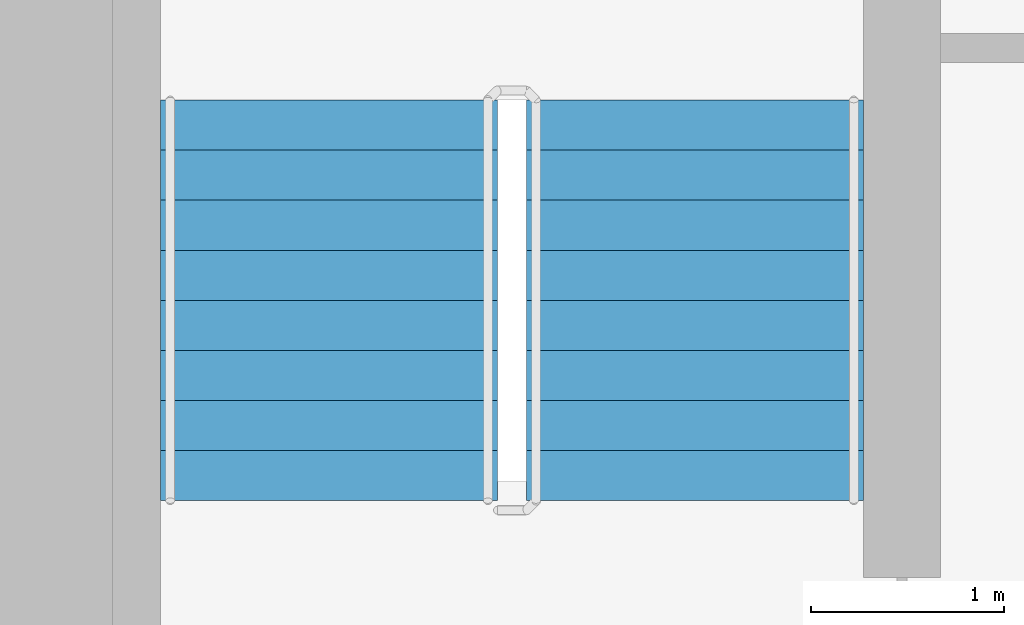
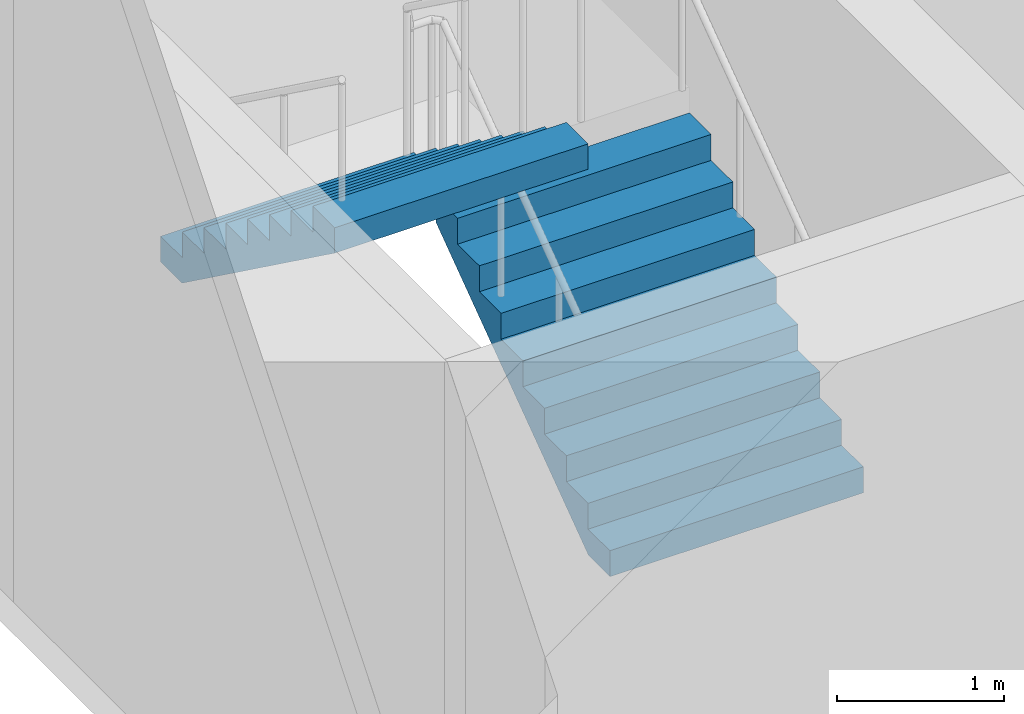
# One storey, part 18 of 21: 2 stair flights, 1 element without a shape of its own.
"""IFC4 building model written with IfcOpenShell, lengths in metres."""

from ifc_helpers import new_model, si_unit, direction, frame, origin, place, context, subcontext, project, spatial, faceted_brep, material, type_object, element, aggregate, save


model = new_model("IFC4")

# Units and contexts
model_context = context("Model", 3, precision=1e-05, world=origin(), true_north=direction((0.0, 1.0)))
body_context = subcontext(model_context, "Body", "Model", "MODEL_VIEW")
ifc_project = project(units=[si_unit("LENGTHUNIT", "METRE"), si_unit("AREAUNIT", "SQUARE_METRE"), si_unit("VOLUMEUNIT", "CUBIC_METRE"), si_unit("PLANEANGLEUNIT", "RADIAN"), si_unit("MASSUNIT", "GRAM", prefix="KILO")], contexts=[model_context])

# Site, building, storey
site_placement = place(None, origin())
site = spatial("IfcSite", under=ifc_project, at=site_placement, CompositionType="ELEMENT")
building_placement = place(site_placement, origin())
building = spatial("IfcBuilding", under=site, at=building_placement, Name="Ipe Terrace Towers", CompositionType="ELEMENT")
storey_placement = place(building_placement, frame((0.0, 0.0, 114.0)))
storey = spatial("IfcBuildingStorey", under=building, at=storey_placement, Name="L31", CompositionType="ELEMENT", Elevation=114.0)

# Stair, stair flights
ifc_material_1 = material(Name="Concrete C30/37", Category="concrete")
stair_type = type_object("IfcStairType", Name="Protected exit stair", PredefinedType="HALF_TURN_STAIR", material=ifc_material_1)
stair_placement = place(storey_placement, origin())
stair = element("IfcStair", 1, at=stair_placement, inside=storey, type_object=stair_type, Name="L31 Exit stair T2-C1", PredefinedType="HALF_TURN_STAIR")
ifc_material_2 = material(Name="Concrete C30/37", Category="concrete")
stair_flight_type = type_object("IfcStairFlightType", Name="Exit stair flight 1750", PredefinedType="STRAIGHT", material=ifc_material_2)
stair_flight_1_placement = place(storey_placement, frame((33.22509765625, 9.699951171875, 0.0), z_axis=(0.0, 0.0, 1.0), x_axis=(0.0, 1.0, 0.0)))
stair_flight_1 = element("IfcStairFlight", 2, at=stair_flight_1_placement, type_object=stair_flight_type, Name="T2-ST1 flight 1", NumberOfRisers=9, NumberOfTreads=8, PredefinedType="STRAIGHT", RiserHeight=0.188888889, TreadLength=0.26, context=body_context, shape_type="Brep", body=[
    faceted_brep([(0.255126953125, -0.875, 0.0), (2.080078125, -0.875, 1.325927734375), (2.080078125, -0.875, 1.51123046875), (1.820068359375, -0.875, 1.51123046875), (1.820068359375, -0.875, 1.322265625), (1.56005859375, -0.875, 1.322265625), (1.56005859375, -0.875, 1.13330078125), (1.300048828125, -0.875, 1.13330078125), (1.300048828125, -0.875, 0.9443359375), (1.0400390625, -0.875, 0.9443359375), (1.0400390625, -0.875, 0.755615234375), (0.780029296875, -0.875, 0.755615234375), (0.780029296875, -0.875, 0.566650390625), (0.52001953125, -0.875, 0.566650390625), (0.52001953125, -0.875, 0.377685546875), (0.260009765625, -0.875, 0.377685546875), (0.260009765625, -0.875, 0.18896484375), (0.0, -0.875, 0.18896484375), (0.0, -0.875, 0.0), (0.0, 0.875, 0.0), (0.0, 0.875, 0.18896484375), (0.260009765625, 0.875, 0.18896484375), (0.260009765625, 0.875, 0.377685546875), (0.52001953125, 0.875, 0.377685546875), (0.52001953125, 0.875, 0.566650390625), (0.780029296875, 0.875, 0.566650390625), (0.780029296875, 0.875, 0.755615234375), (1.0400390625, 0.875, 0.755615234375), (1.0400390625, 0.875, 0.9443359375), (1.300048828125, 0.875, 0.9443359375), (1.300048828125, 0.875, 1.13330078125), (1.56005859375, 0.875, 1.13330078125), (1.56005859375, 0.875, 1.322265625), (1.820068359375, 0.875, 1.322265625), (1.820068359375, 0.875, 1.51123046875), (2.080078125, 0.875, 1.51123046875), (2.080078125, 0.875, 1.325927734375), (0.255126953125, 0.875, 0.0), (0.0, -0.300048828125, 0.18896484375), (0.0, -0.1201171875, 0.18896484375), (0.0, -0.06005859375, 0.18896484375), (0.0, -0.030029296875, 0.18896484375), (0.0, -0.010009765625, 0.18896484375), (0.0, 0.0, 0.18896484375), (0.0, 0.010009765625, 0.18896484375), (0.0, 0.030029296875, 0.18896484375), (0.0, 0.06005859375, 0.18896484375), (0.0, 0.1201171875, 0.18896484375), (0.0, 0.300048828125, 0.18896484375), (0.0, 0.300048828125, 0.0), (0.0, 0.1201171875, 0.0), (0.0, 0.06005859375, 0.0), (0.0, 0.030029296875, 0.0), (0.0, 0.010009765625, 0.0), (0.0, 0.0, 0.0), (0.0, -0.010009765625, 0.0), (0.0, -0.030029296875, 0.0), (0.0, -0.06005859375, 0.0), (0.0, -0.1201171875, 0.0), (0.0, -0.300048828125, 0.0), (0.260009765625, -0.300048828125, 0.18896484375), (0.260009765625, -0.1201171875, 0.18896484375), (0.260009765625, -0.06005859375, 0.18896484375), (0.260009765625, -0.030029296875, 0.18896484375), (0.260009765625, -0.010009765625, 0.18896484375), (0.260009765625, 0.0, 0.18896484375), (0.260009765625, 0.010009765625, 0.18896484375), (0.260009765625, 0.030029296875, 0.18896484375), (0.260009765625, 0.06005859375, 0.18896484375), (0.260009765625, 0.1201171875, 0.18896484375), (0.260009765625, 0.300048828125, 0.18896484375), (0.260009765625, -0.300048828125, 0.377685546875), (0.260009765625, -0.1201171875, 0.377685546875), (0.260009765625, -0.06005859375, 0.377685546875), (0.260009765625, -0.030029296875, 0.377685546875), (0.260009765625, -0.010009765625, 0.377685546875), (0.260009765625, 0.0, 0.377685546875), (0.260009765625, 0.010009765625, 0.377685546875), (0.260009765625, 0.030029296875, 0.377685546875), (0.260009765625, 0.06005859375, 0.377685546875), (0.260009765625, 0.1201171875, 0.377685546875), (0.260009765625, 0.300048828125, 0.377685546875), (0.52001953125, -0.300048828125, 0.377685546875), (0.52001953125, -0.1201171875, 0.377685546875), (0.52001953125, -0.06005859375, 0.377685546875), (0.52001953125, -0.030029296875, 0.377685546875), (0.52001953125, -0.010009765625, 0.377685546875), (0.52001953125, 0.0, 0.377685546875), (0.52001953125, 0.010009765625, 0.377685546875), (0.52001953125, 0.030029296875, 0.377685546875), (0.52001953125, 0.06005859375, 0.377685546875), (0.52001953125, 0.1201171875, 0.377685546875), (0.52001953125, 0.300048828125, 0.377685546875), (0.52001953125, -0.300048828125, 0.566650390625), (0.52001953125, -0.1201171875, 0.566650390625), (0.52001953125, -0.06005859375, 0.566650390625), (0.52001953125, -0.030029296875, 0.566650390625), (0.52001953125, -0.010009765625, 0.566650390625), (0.52001953125, 0.0, 0.566650390625), (0.52001953125, 0.010009765625, 0.566650390625), (0.52001953125, 0.030029296875, 0.566650390625), (0.52001953125, 0.06005859375, 0.566650390625), (0.52001953125, 0.1201171875, 0.566650390625), (0.52001953125, 0.300048828125, 0.566650390625), (0.780029296875, -0.300048828125, 0.566650390625), (0.780029296875, -0.1201171875, 0.566650390625), (0.780029296875, -0.06005859375, 0.566650390625), (0.780029296875, -0.030029296875, 0.566650390625), (0.780029296875, -0.010009765625, 0.566650390625), (0.780029296875, 0.0, 0.566650390625), (0.780029296875, 0.010009765625, 0.566650390625), (0.780029296875, 0.030029296875, 0.566650390625), (0.780029296875, 0.06005859375, 0.566650390625), (0.780029296875, 0.1201171875, 0.566650390625), (0.780029296875, 0.300048828125, 0.566650390625), (0.780029296875, -0.300048828125, 0.755615234375), (0.780029296875, -0.1201171875, 0.755615234375), (0.780029296875, -0.06005859375, 0.755615234375), (0.780029296875, -0.030029296875, 0.755615234375), (0.780029296875, -0.010009765625, 0.755615234375), (0.780029296875, 0.0, 0.755615234375), (0.780029296875, 0.010009765625, 0.755615234375), (0.780029296875, 0.030029296875, 0.755615234375), (0.780029296875, 0.06005859375, 0.755615234375), (0.780029296875, 0.1201171875, 0.755615234375), (0.780029296875, 0.300048828125, 0.755615234375), (1.0400390625, -0.300048828125, 0.755615234375), (1.0400390625, -0.1201171875, 0.755615234375), (1.0400390625, -0.06005859375, 0.755615234375), (1.0400390625, -0.030029296875, 0.755615234375), (1.0400390625, -0.010009765625, 0.755615234375), (1.0400390625, 0.0, 0.755615234375), (1.0400390625, 0.010009765625, 0.755615234375), (1.0400390625, 0.030029296875, 0.755615234375), (1.0400390625, 0.06005859375, 0.755615234375), (1.0400390625, 0.1201171875, 0.755615234375), (1.0400390625, 0.300048828125, 0.755615234375), (1.0400390625, -0.300048828125, 0.9443359375), (1.0400390625, -0.1201171875, 0.9443359375), (1.0400390625, -0.06005859375, 0.9443359375), (1.0400390625, -0.030029296875, 0.9443359375), (1.0400390625, -0.010009765625, 0.9443359375), (1.0400390625, 0.0, 0.9443359375), (1.0400390625, 0.010009765625, 0.9443359375), (1.0400390625, 0.030029296875, 0.9443359375), (1.0400390625, 0.06005859375, 0.9443359375), (1.0400390625, 0.1201171875, 0.9443359375), (1.0400390625, 0.300048828125, 0.9443359375), (1.300048828125, -0.300048828125, 0.9443359375), (1.300048828125, -0.1201171875, 0.9443359375), (1.300048828125, -0.06005859375, 0.9443359375), (1.300048828125, -0.030029296875, 0.9443359375), (1.300048828125, -0.010009765625, 0.9443359375), (1.300048828125, 0.0, 0.9443359375), (1.300048828125, 0.010009765625, 0.9443359375), (1.300048828125, 0.030029296875, 0.9443359375), (1.300048828125, 0.06005859375, 0.9443359375), (1.300048828125, 0.1201171875, 0.9443359375), (1.300048828125, 0.300048828125, 0.9443359375), (1.300048828125, -0.300048828125, 1.13330078125), (1.300048828125, -0.1201171875, 1.13330078125), (1.300048828125, -0.06005859375, 1.13330078125), (1.300048828125, -0.030029296875, 1.13330078125), (1.300048828125, -0.010009765625, 1.13330078125), (1.300048828125, 0.0, 1.13330078125), (1.300048828125, 0.010009765625, 1.13330078125), (1.300048828125, 0.030029296875, 1.13330078125), (1.300048828125, 0.06005859375, 1.13330078125), (1.300048828125, 0.1201171875, 1.13330078125), (1.300048828125, 0.300048828125, 1.13330078125), (1.56005859375, -0.300048828125, 1.13330078125), (1.56005859375, -0.1201171875, 1.13330078125), (1.56005859375, -0.06005859375, 1.13330078125), (1.56005859375, -0.030029296875, 1.13330078125), (1.56005859375, -0.010009765625, 1.13330078125), (1.56005859375, 0.0, 1.13330078125), (1.56005859375, 0.010009765625, 1.13330078125), (1.56005859375, 0.030029296875, 1.13330078125), (1.56005859375, 0.06005859375, 1.13330078125), (1.56005859375, 0.1201171875, 1.13330078125), (1.56005859375, 0.300048828125, 1.13330078125), (1.56005859375, -0.300048828125, 1.322265625), (1.56005859375, -0.1201171875, 1.322265625), (1.56005859375, -0.06005859375, 1.322265625), (1.56005859375, -0.030029296875, 1.322265625), (1.56005859375, -0.010009765625, 1.322265625), (1.56005859375, 0.0, 1.322265625), (1.56005859375, 0.010009765625, 1.322265625), (1.56005859375, 0.030029296875, 1.322265625), (1.56005859375, 0.06005859375, 1.322265625), (1.56005859375, 0.1201171875, 1.322265625), (1.56005859375, 0.300048828125, 1.322265625), (1.820068359375, -0.300048828125, 1.322265625), (1.820068359375, -0.1201171875, 1.322265625), (1.820068359375, -0.06005859375, 1.322265625), (1.820068359375, -0.030029296875, 1.322265625), (1.820068359375, -0.010009765625, 1.322265625), (1.820068359375, 0.0, 1.322265625), (1.820068359375, 0.010009765625, 1.322265625), (1.820068359375, 0.030029296875, 1.322265625), (1.820068359375, 0.06005859375, 1.322265625), (1.820068359375, 0.1201171875, 1.322265625), (1.820068359375, 0.300048828125, 1.322265625), (1.820068359375, -0.300048828125, 1.51123046875), (1.820068359375, -0.1201171875, 1.51123046875), (1.820068359375, -0.06005859375, 1.51123046875), (1.820068359375, -0.030029296875, 1.51123046875), (1.820068359375, -0.010009765625, 1.51123046875), (1.820068359375, 0.0, 1.51123046875), (1.820068359375, 0.010009765625, 1.51123046875), (1.820068359375, 0.030029296875, 1.51123046875), (1.820068359375, 0.06005859375, 1.51123046875), (1.820068359375, 0.1201171875, 1.51123046875), (1.820068359375, 0.300048828125, 1.51123046875), (2.080078125, -0.300048828125, 1.51123046875), (2.080078125, -0.1201171875, 1.51123046875), (2.080078125, -0.06005859375, 1.51123046875), (2.080078125, -0.030029296875, 1.51123046875), (2.080078125, -0.010009765625, 1.51123046875), (2.080078125, 0.0, 1.51123046875), (2.080078125, 0.010009765625, 1.51123046875), (2.080078125, 0.030029296875, 1.51123046875), (2.080078125, 0.06005859375, 1.51123046875), (2.080078125, 0.1201171875, 1.51123046875), (2.080078125, 0.300048828125, 1.51123046875), (2.080078125, -0.300048828125, 1.325927734375), (2.080078125, -0.1201171875, 1.325927734375), (2.080078125, -0.06005859375, 1.325927734375), (2.080078125, -0.030029296875, 1.325927734375), (2.080078125, -0.010009765625, 1.325927734375), (2.080078125, 0.0, 1.325927734375), (2.080078125, 0.010009765625, 1.325927734375), (2.080078125, 0.030029296875, 1.325927734375), (2.080078125, 0.06005859375, 1.325927734375), (2.080078125, 0.1201171875, 1.325927734375), (2.080078125, 0.300048828125, 1.325927734375), (0.255126953125, -0.300048828125, 0.0), (0.255126953125, -0.1201171875, 0.0), (0.255126953125, -0.06005859375, 0.0), (0.255126953125, -0.030029296875, 0.0), (0.255126953125, -0.010009765625, 0.0), (0.255126953125, 0.0, 0.0), (0.255126953125, 0.010009765625, 0.0), (0.255126953125, 0.030029296875, 0.0), (0.255126953125, 0.06005859375, 0.0), (0.255126953125, 0.1201171875, 0.0), (0.255126953125, 0.300048828125, 0.0)], [[[0, 1, 2, 3, 4, 5, 6, 7, 8, 9, 10, 11, 12, 13, 14, 15, 16, 17, 18]], [[19, 20, 21, 22, 23, 24, 25, 26, 27, 28, 29, 30, 31, 32, 33, 34, 35, 36, 37]], [[17, 38, 39, 40, 41, 42, 43, 44, 45, 46, 47, 48, 20, 19, 49, 50, 51, 52, 53, 54, 55, 56, 57, 58, 59, 18]], [[16, 60, 61, 62, 63, 64, 65, 66, 67, 68, 69, 70, 21, 20, 48, 47, 46, 45, 44, 43, 42, 41, 40, 39, 38, 17]], [[15, 71, 72, 73, 74, 75, 76, 77, 78, 79, 80, 81, 22, 21, 70, 69, 68, 67, 66, 65, 64, 63, 62, 61, 60, 16]], [[14, 82, 83, 84, 85, 86, 87, 88, 89, 90, 91, 92, 23, 22, 81, 80, 79, 78, 77, 76, 75, 74, 73, 72, 71, 15]], [[13, 93, 94, 95, 96, 97, 98, 99, 100, 101, 102, 103, 24, 23, 92, 91, 90, 89, 88, 87, 86, 85, 84, 83, 82, 14]], [[12, 104, 105, 106, 107, 108, 109, 110, 111, 112, 113, 114, 25, 24, 103, 102, 101, 100, 99, 98, 97, 96, 95, 94, 93, 13]], [[11, 115, 116, 117, 118, 119, 120, 121, 122, 123, 124, 125, 26, 25, 114, 113, 112, 111, 110, 109, 108, 107, 106, 105, 104, 12]], [[10, 126, 127, 128, 129, 130, 131, 132, 133, 134, 135, 136, 27, 26, 125, 124, 123, 122, 121, 120, 119, 118, 117, 116, 115, 11]], [[9, 137, 138, 139, 140, 141, 142, 143, 144, 145, 146, 147, 28, 27, 136, 135, 134, 133, 132, 131, 130, 129, 128, 127, 126, 10]], [[8, 148, 149, 150, 151, 152, 153, 154, 155, 156, 157, 158, 29, 28, 147, 146, 145, 144, 143, 142, 141, 140, 139, 138, 137, 9]], [[7, 159, 160, 161, 162, 163, 164, 165, 166, 167, 168, 169, 30, 29, 158, 157, 156, 155, 154, 153, 152, 151, 150, 149, 148, 8]], [[6, 170, 171, 172, 173, 174, 175, 176, 177, 178, 179, 180, 31, 30, 169, 168, 167, 166, 165, 164, 163, 162, 161, 160, 159, 7]], [[5, 181, 182, 183, 184, 185, 186, 187, 188, 189, 190, 191, 32, 31, 180, 179, 178, 177, 176, 175, 174, 173, 172, 171, 170, 6]], [[4, 192, 193, 194, 195, 196, 197, 198, 199, 200, 201, 202, 33, 32, 191, 190, 189, 188, 187, 186, 185, 184, 183, 182, 181, 5]], [[3, 203, 204, 205, 206, 207, 208, 209, 210, 211, 212, 213, 34, 33, 202, 201, 200, 199, 198, 197, 196, 195, 194, 193, 192, 4]], [[2, 214, 215, 216, 217, 218, 219, 220, 221, 222, 223, 224, 35, 34, 213, 212, 211, 210, 209, 208, 207, 206, 205, 204, 203, 3]], [[1, 225, 226, 227, 228, 229, 230, 231, 232, 233, 234, 235, 36, 35, 224, 223, 222, 221, 220, 219, 218, 217, 216, 215, 214, 2]], [[0, 236, 237, 238, 239, 240, 241, 242, 243, 244, 245, 246, 37, 36, 235, 234, 233, 232, 231, 230, 229, 228, 227, 226, 225, 1]], [[18, 59, 58, 57, 56, 55, 54, 53, 52, 51, 50, 49, 19, 37, 246, 245, 244, 243, 242, 241, 240, 239, 238, 237, 236, 0]]]),
])
stair_flight_2_placement = place(storey_placement, frame((31.324951171875, 11.780029296875, 1.699951171875), z_axis=(0.0, 0.0, 1.0), x_axis=(0.0, -1.0, 0.0)))
stair_flight_2 = element("IfcStairFlight", 3, at=stair_flight_2_placement, type_object=stair_flight_type, Name="T2-ST1 flight 2", NumberOfRisers=9, NumberOfTreads=8, PredefinedType="STRAIGHT", RiserHeight=0.188888889, TreadLength=0.26, context=body_context, shape_type="Brep", body=[
    faceted_brep([(0.255126953125, -0.875, 0.0), (2.080078125, -0.875, 1.325927734375), (2.080078125, -0.875, 1.51123046875), (1.820068359375, -0.875, 1.51123046875), (1.820068359375, -0.875, 1.322265625), (1.56005859375, -0.875, 1.322265625), (1.56005859375, -0.875, 1.13330078125), (1.300048828125, -0.875, 1.13330078125), (1.300048828125, -0.875, 0.9443359375), (1.0400390625, -0.875, 0.9443359375), (1.0400390625, -0.875, 0.755615234375), (0.780029296875, -0.875, 0.755615234375), (0.780029296875, -0.875, 0.566650390625), (0.52001953125, -0.875, 0.566650390625), (0.52001953125, -0.875, 0.377685546875), (0.260009765625, -0.875, 0.377685546875), (0.260009765625, -0.875, 0.18896484375), (0.0, -0.875, 0.18896484375), (0.0, -0.875, 0.0), (0.0, 0.875, 0.0), (0.0, 0.875, 0.18896484375), (0.260009765625, 0.875, 0.18896484375), (0.260009765625, 0.875, 0.377685546875), (0.52001953125, 0.875, 0.377685546875), (0.52001953125, 0.875, 0.566650390625), (0.780029296875, 0.875, 0.566650390625), (0.780029296875, 0.875, 0.755615234375), (1.0400390625, 0.875, 0.755615234375), (1.0400390625, 0.875, 0.9443359375), (1.300048828125, 0.875, 0.9443359375), (1.300048828125, 0.875, 1.13330078125), (1.56005859375, 0.875, 1.13330078125), (1.56005859375, 0.875, 1.322265625), (1.820068359375, 0.875, 1.322265625), (1.820068359375, 0.875, 1.51123046875), (2.080078125, 0.875, 1.51123046875), (2.080078125, 0.875, 1.325927734375), (0.255126953125, 0.875, 0.0), (0.0, -0.300048828125, 0.18896484375), (0.0, -0.1201171875, 0.18896484375), (0.0, -0.06005859375, 0.18896484375), (0.0, -0.030029296875, 0.18896484375), (0.0, -0.010009765625, 0.18896484375), (0.0, 0.0, 0.18896484375), (0.0, 0.010009765625, 0.18896484375), (0.0, 0.030029296875, 0.18896484375), (0.0, 0.06005859375, 0.18896484375), (0.0, 0.1201171875, 0.18896484375), (0.0, 0.300048828125, 0.18896484375), (0.0, 0.300048828125, 0.0), (0.0, 0.1201171875, 0.0), (0.0, 0.06005859375, 0.0), (0.0, 0.030029296875, 0.0), (0.0, 0.010009765625, 0.0), (0.0, 0.0, 0.0), (0.0, -0.010009765625, 0.0), (0.0, -0.030029296875, 0.0), (0.0, -0.06005859375, 0.0), (0.0, -0.1201171875, 0.0), (0.0, -0.300048828125, 0.0), (0.260009765625, -0.300048828125, 0.18896484375), (0.260009765625, -0.1201171875, 0.18896484375), (0.260009765625, -0.06005859375, 0.18896484375), (0.260009765625, -0.030029296875, 0.18896484375), (0.260009765625, -0.010009765625, 0.18896484375), (0.260009765625, 0.0, 0.18896484375), (0.260009765625, 0.010009765625, 0.18896484375), (0.260009765625, 0.030029296875, 0.18896484375), (0.260009765625, 0.06005859375, 0.18896484375), (0.260009765625, 0.1201171875, 0.18896484375), (0.260009765625, 0.300048828125, 0.18896484375), (0.260009765625, -0.300048828125, 0.377685546875), (0.260009765625, -0.1201171875, 0.377685546875), (0.260009765625, -0.06005859375, 0.377685546875), (0.260009765625, -0.030029296875, 0.377685546875), (0.260009765625, -0.010009765625, 0.377685546875), (0.260009765625, 0.0, 0.377685546875), (0.260009765625, 0.010009765625, 0.377685546875), (0.260009765625, 0.030029296875, 0.377685546875), (0.260009765625, 0.06005859375, 0.377685546875), (0.260009765625, 0.1201171875, 0.377685546875), (0.260009765625, 0.300048828125, 0.377685546875), (0.52001953125, -0.300048828125, 0.377685546875), (0.52001953125, -0.1201171875, 0.377685546875), (0.52001953125, -0.06005859375, 0.377685546875), (0.52001953125, -0.030029296875, 0.377685546875), (0.52001953125, -0.010009765625, 0.377685546875), (0.52001953125, 0.0, 0.377685546875), (0.52001953125, 0.010009765625, 0.377685546875), (0.52001953125, 0.030029296875, 0.377685546875), (0.52001953125, 0.06005859375, 0.377685546875), (0.52001953125, 0.1201171875, 0.377685546875), (0.52001953125, 0.300048828125, 0.377685546875), (0.52001953125, -0.300048828125, 0.566650390625), (0.52001953125, -0.1201171875, 0.566650390625), (0.52001953125, -0.06005859375, 0.566650390625), (0.52001953125, -0.030029296875, 0.566650390625), (0.52001953125, -0.010009765625, 0.566650390625), (0.52001953125, 0.0, 0.566650390625), (0.52001953125, 0.010009765625, 0.566650390625), (0.52001953125, 0.030029296875, 0.566650390625), (0.52001953125, 0.06005859375, 0.566650390625), (0.52001953125, 0.1201171875, 0.566650390625), (0.52001953125, 0.300048828125, 0.566650390625), (0.780029296875, -0.300048828125, 0.566650390625), (0.780029296875, -0.1201171875, 0.566650390625), (0.780029296875, -0.06005859375, 0.566650390625), (0.780029296875, -0.030029296875, 0.566650390625), (0.780029296875, -0.010009765625, 0.566650390625), (0.780029296875, 0.0, 0.566650390625), (0.780029296875, 0.010009765625, 0.566650390625), (0.780029296875, 0.030029296875, 0.566650390625), (0.780029296875, 0.06005859375, 0.566650390625), (0.780029296875, 0.1201171875, 0.566650390625), (0.780029296875, 0.300048828125, 0.566650390625), (0.780029296875, -0.300048828125, 0.755615234375), (0.780029296875, -0.1201171875, 0.755615234375), (0.780029296875, -0.06005859375, 0.755615234375), (0.780029296875, -0.030029296875, 0.755615234375), (0.780029296875, -0.010009765625, 0.755615234375), (0.780029296875, 0.0, 0.755615234375), (0.780029296875, 0.010009765625, 0.755615234375), (0.780029296875, 0.030029296875, 0.755615234375), (0.780029296875, 0.06005859375, 0.755615234375), (0.780029296875, 0.1201171875, 0.755615234375), (0.780029296875, 0.300048828125, 0.755615234375), (1.0400390625, -0.300048828125, 0.755615234375), (1.0400390625, -0.1201171875, 0.755615234375), (1.0400390625, -0.06005859375, 0.755615234375), (1.0400390625, -0.030029296875, 0.755615234375), (1.0400390625, -0.010009765625, 0.755615234375), (1.0400390625, 0.0, 0.755615234375), (1.0400390625, 0.010009765625, 0.755615234375), (1.0400390625, 0.030029296875, 0.755615234375), (1.0400390625, 0.06005859375, 0.755615234375), (1.0400390625, 0.1201171875, 0.755615234375), (1.0400390625, 0.300048828125, 0.755615234375), (1.0400390625, -0.300048828125, 0.9443359375), (1.0400390625, -0.1201171875, 0.9443359375), (1.0400390625, -0.06005859375, 0.9443359375), (1.0400390625, -0.030029296875, 0.9443359375), (1.0400390625, -0.010009765625, 0.9443359375), (1.0400390625, 0.0, 0.9443359375), (1.0400390625, 0.010009765625, 0.9443359375), (1.0400390625, 0.030029296875, 0.9443359375), (1.0400390625, 0.06005859375, 0.9443359375), (1.0400390625, 0.1201171875, 0.9443359375), (1.0400390625, 0.300048828125, 0.9443359375), (1.300048828125, -0.300048828125, 0.9443359375), (1.300048828125, -0.1201171875, 0.9443359375), (1.300048828125, -0.06005859375, 0.9443359375), (1.300048828125, -0.030029296875, 0.9443359375), (1.300048828125, -0.010009765625, 0.9443359375), (1.300048828125, 0.0, 0.9443359375), (1.300048828125, 0.010009765625, 0.9443359375), (1.300048828125, 0.030029296875, 0.9443359375), (1.300048828125, 0.06005859375, 0.9443359375), (1.300048828125, 0.1201171875, 0.9443359375), (1.300048828125, 0.300048828125, 0.9443359375), (1.300048828125, -0.300048828125, 1.13330078125), (1.300048828125, -0.1201171875, 1.13330078125), (1.300048828125, -0.06005859375, 1.13330078125), (1.300048828125, -0.030029296875, 1.13330078125), (1.300048828125, -0.010009765625, 1.13330078125), (1.300048828125, 0.0, 1.13330078125), (1.300048828125, 0.010009765625, 1.13330078125), (1.300048828125, 0.030029296875, 1.13330078125), (1.300048828125, 0.06005859375, 1.13330078125), (1.300048828125, 0.1201171875, 1.13330078125), (1.300048828125, 0.300048828125, 1.13330078125), (1.56005859375, -0.300048828125, 1.13330078125), (1.56005859375, -0.1201171875, 1.13330078125), (1.56005859375, -0.06005859375, 1.13330078125), (1.56005859375, -0.030029296875, 1.13330078125), (1.56005859375, -0.010009765625, 1.13330078125), (1.56005859375, 0.0, 1.13330078125), (1.56005859375, 0.010009765625, 1.13330078125), (1.56005859375, 0.030029296875, 1.13330078125), (1.56005859375, 0.06005859375, 1.13330078125), (1.56005859375, 0.1201171875, 1.13330078125), (1.56005859375, 0.300048828125, 1.13330078125), (1.56005859375, -0.300048828125, 1.322265625), (1.56005859375, -0.1201171875, 1.322265625), (1.56005859375, -0.06005859375, 1.322265625), (1.56005859375, -0.030029296875, 1.322265625), (1.56005859375, -0.010009765625, 1.322265625), (1.56005859375, 0.0, 1.322265625), (1.56005859375, 0.010009765625, 1.322265625), (1.56005859375, 0.030029296875, 1.322265625), (1.56005859375, 0.06005859375, 1.322265625), (1.56005859375, 0.1201171875, 1.322265625), (1.56005859375, 0.300048828125, 1.322265625), (1.820068359375, -0.300048828125, 1.322265625), (1.820068359375, -0.1201171875, 1.322265625), (1.820068359375, -0.06005859375, 1.322265625), (1.820068359375, -0.030029296875, 1.322265625), (1.820068359375, -0.010009765625, 1.322265625), (1.820068359375, 0.0, 1.322265625), (1.820068359375, 0.010009765625, 1.322265625), (1.820068359375, 0.030029296875, 1.322265625), (1.820068359375, 0.06005859375, 1.322265625), (1.820068359375, 0.1201171875, 1.322265625), (1.820068359375, 0.300048828125, 1.322265625), (1.820068359375, -0.300048828125, 1.51123046875), (1.820068359375, -0.1201171875, 1.51123046875), (1.820068359375, -0.06005859375, 1.51123046875), (1.820068359375, -0.030029296875, 1.51123046875), (1.820068359375, -0.010009765625, 1.51123046875), (1.820068359375, 0.0, 1.51123046875), (1.820068359375, 0.010009765625, 1.51123046875), (1.820068359375, 0.030029296875, 1.51123046875), (1.820068359375, 0.06005859375, 1.51123046875), (1.820068359375, 0.1201171875, 1.51123046875), (1.820068359375, 0.300048828125, 1.51123046875), (2.080078125, -0.300048828125, 1.51123046875), (2.080078125, -0.1201171875, 1.51123046875), (2.080078125, -0.06005859375, 1.51123046875), (2.080078125, -0.030029296875, 1.51123046875), (2.080078125, -0.010009765625, 1.51123046875), (2.080078125, 0.0, 1.51123046875), (2.080078125, 0.010009765625, 1.51123046875), (2.080078125, 0.030029296875, 1.51123046875), (2.080078125, 0.06005859375, 1.51123046875), (2.080078125, 0.1201171875, 1.51123046875), (2.080078125, 0.300048828125, 1.51123046875), (2.080078125, -0.300048828125, 1.325927734375), (2.080078125, -0.1201171875, 1.325927734375), (2.080078125, -0.06005859375, 1.325927734375), (2.080078125, -0.030029296875, 1.325927734375), (2.080078125, -0.010009765625, 1.325927734375), (2.080078125, 0.0, 1.325927734375), (2.080078125, 0.010009765625, 1.325927734375), (2.080078125, 0.030029296875, 1.325927734375), (2.080078125, 0.06005859375, 1.325927734375), (2.080078125, 0.1201171875, 1.325927734375), (2.080078125, 0.300048828125, 1.325927734375), (0.255126953125, -0.300048828125, 0.0), (0.255126953125, -0.1201171875, 0.0), (0.255126953125, -0.06005859375, 0.0), (0.255126953125, -0.030029296875, 0.0), (0.255126953125, -0.010009765625, 0.0), (0.255126953125, 0.0, 0.0), (0.255126953125, 0.010009765625, 0.0), (0.255126953125, 0.030029296875, 0.0), (0.255126953125, 0.06005859375, 0.0), (0.255126953125, 0.1201171875, 0.0), (0.255126953125, 0.300048828125, 0.0)], [[[0, 1, 2, 3, 4, 5, 6, 7, 8, 9, 10, 11, 12, 13, 14, 15, 16, 17, 18]], [[19, 20, 21, 22, 23, 24, 25, 26, 27, 28, 29, 30, 31, 32, 33, 34, 35, 36, 37]], [[17, 38, 39, 40, 41, 42, 43, 44, 45, 46, 47, 48, 20, 19, 49, 50, 51, 52, 53, 54, 55, 56, 57, 58, 59, 18]], [[16, 60, 61, 62, 63, 64, 65, 66, 67, 68, 69, 70, 21, 20, 48, 47, 46, 45, 44, 43, 42, 41, 40, 39, 38, 17]], [[15, 71, 72, 73, 74, 75, 76, 77, 78, 79, 80, 81, 22, 21, 70, 69, 68, 67, 66, 65, 64, 63, 62, 61, 60, 16]], [[14, 82, 83, 84, 85, 86, 87, 88, 89, 90, 91, 92, 23, 22, 81, 80, 79, 78, 77, 76, 75, 74, 73, 72, 71, 15]], [[13, 93, 94, 95, 96, 97, 98, 99, 100, 101, 102, 103, 24, 23, 92, 91, 90, 89, 88, 87, 86, 85, 84, 83, 82, 14]], [[12, 104, 105, 106, 107, 108, 109, 110, 111, 112, 113, 114, 25, 24, 103, 102, 101, 100, 99, 98, 97, 96, 95, 94, 93, 13]], [[11, 115, 116, 117, 118, 119, 120, 121, 122, 123, 124, 125, 26, 25, 114, 113, 112, 111, 110, 109, 108, 107, 106, 105, 104, 12]], [[10, 126, 127, 128, 129, 130, 131, 132, 133, 134, 135, 136, 27, 26, 125, 124, 123, 122, 121, 120, 119, 118, 117, 116, 115, 11]], [[9, 137, 138, 139, 140, 141, 142, 143, 144, 145, 146, 147, 28, 27, 136, 135, 134, 133, 132, 131, 130, 129, 128, 127, 126, 10]], [[8, 148, 149, 150, 151, 152, 153, 154, 155, 156, 157, 158, 29, 28, 147, 146, 145, 144, 143, 142, 141, 140, 139, 138, 137, 9]], [[7, 159, 160, 161, 162, 163, 164, 165, 166, 167, 168, 169, 30, 29, 158, 157, 156, 155, 154, 153, 152, 151, 150, 149, 148, 8]], [[6, 170, 171, 172, 173, 174, 175, 176, 177, 178, 179, 180, 31, 30, 169, 168, 167, 166, 165, 164, 163, 162, 161, 160, 159, 7]], [[5, 181, 182, 183, 184, 185, 186, 187, 188, 189, 190, 191, 32, 31, 180, 179, 178, 177, 176, 175, 174, 173, 172, 171, 170, 6]], [[4, 192, 193, 194, 195, 196, 197, 198, 199, 200, 201, 202, 33, 32, 191, 190, 189, 188, 187, 186, 185, 184, 183, 182, 181, 5]], [[3, 203, 204, 205, 206, 207, 208, 209, 210, 211, 212, 213, 34, 33, 202, 201, 200, 199, 198, 197, 196, 195, 194, 193, 192, 4]], [[2, 214, 215, 216, 217, 218, 219, 220, 221, 222, 223, 224, 35, 34, 213, 212, 211, 210, 209, 208, 207, 206, 205, 204, 203, 3]], [[1, 225, 226, 227, 228, 229, 230, 231, 232, 233, 234, 235, 36, 35, 224, 223, 222, 221, 220, 219, 218, 217, 216, 215, 214, 2]], [[0, 236, 237, 238, 239, 240, 241, 242, 243, 244, 245, 246, 37, 36, 235, 234, 233, 232, 231, 230, 229, 228, 227, 226, 225, 1]], [[18, 59, 58, 57, 56, 55, 54, 53, 52, 51, 50, 49, 19, 37, 246, 245, 244, 243, 242, 241, 240, 239, 238, 237, 236, 0]]]),
])
aggregate(stair, [stair_flight_1, stair_flight_2])

save(model, "model.ifc")
